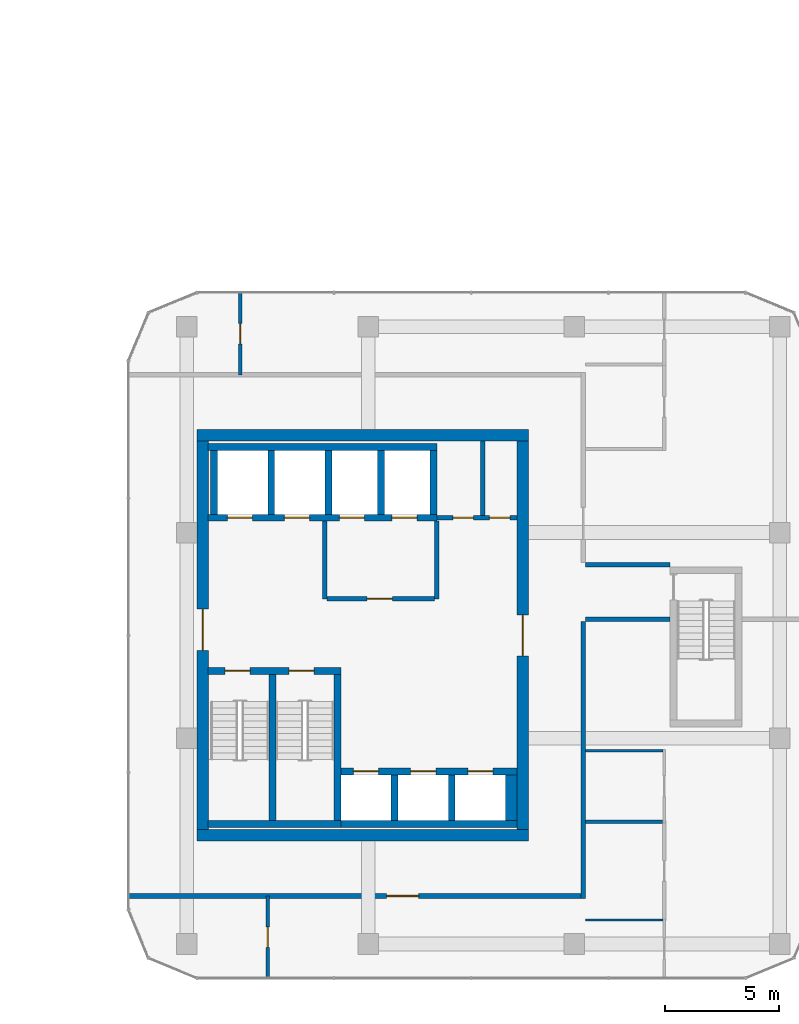
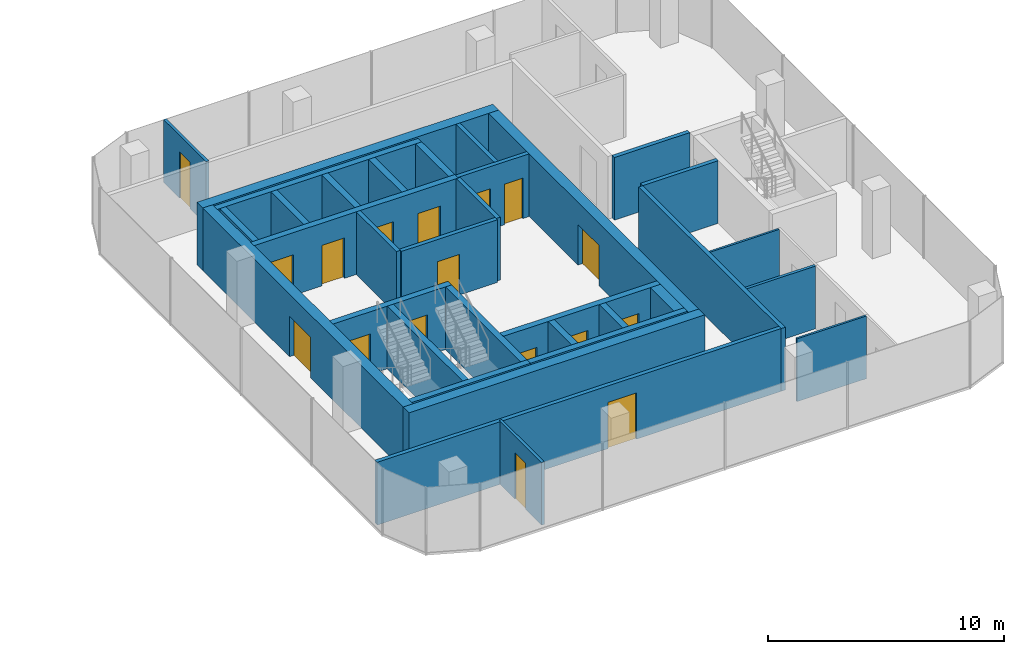
# One storey, part 17 of 22: 34 walls, 17 doors, 17 openings.
"""IFC4 building model written with IfcOpenShell, lengths in metres."""

from ifc_helpers import new_model, si_unit, direction, frame, frame_2d, origin, place, context, subcontext, project, spatial, rectangle, extrude, material, layer, layer_set, type_object, element, fill, save


model = new_model("IFC4")

# Units and contexts
model_context = context("Model", 3, precision=1e-05, world=origin(), true_north=direction((0.0, 1.0)))
body_context = subcontext(model_context, "Body", "Model", "MODEL_VIEW")
ifc_project = project(units=[si_unit("LENGTHUNIT", "METRE"), si_unit("AREAUNIT", "SQUARE_METRE"), si_unit("VOLUMEUNIT", "CUBIC_METRE"), si_unit("PLANEANGLEUNIT", "RADIAN"), si_unit("MASSUNIT", "GRAM", prefix="KILO")], contexts=[model_context])

# Site, building, storey
site_placement = place(None, origin())
site = spatial("IfcSite", under=ifc_project, at=site_placement, CompositionType="ELEMENT")
building_placement = place(site_placement, origin())
building = spatial("IfcBuilding", under=site, at=building_placement, Name="Plateau Cross Towers", CompositionType="ELEMENT")
storey_placement = place(building_placement, frame((0.0, 0.0, 61.800048828125)))
storey = spatial("IfcBuildingStorey", under=building, at=storey_placement, Name="L15", CompositionType="ELEMENT", Elevation=61.800048828125)

# Wall
ifc_material_1 = material(Name="Concrete block, plastered both sides", Category="concrete")
ifc_layer_1 = layer(ifc_material_1, 0.199951171875)
ifc_layer_set_1 = layer_set([ifc_layer_1], Name="Concrete block, plastered both sides")
wall_type_1 = type_object("IfcWallType", Name="Core partition 200", PredefinedType="PARTITIONING", material=ifc_layer_set_1)
wall_1_placement = place(storey_placement, frame((80.60009765625, 10.60009765625, 0.0), z_axis=(0.0, 0.0, 1.0), x_axis=(0.0, 1.0, 0.0)))
element("IfcWall", 1, at=wall_1_placement, inside=storey, type_object=wall_type_1, Name="Core partition", PredefinedType="PARTITIONING", context=body_context, shape_type="SweptSolid", body=[
    extrude(rectangle(XDim=3.39990234375, YDim=0.199951171875, at=frame_2d((1.699951171875, 0.0))), origin(), (0.0, 0.0, 1.0), 3.25),
])

# Wall, opening, door
wall_2_placement = place(storey_placement, frame((80.699951171875, 10.60009765625, 0.0), z_axis=(0.0, 0.0, 1.0), x_axis=(1.0, 0.0, 0.0)))
wall_2 = element("IfcWall", 2, at=wall_2_placement, inside=storey, type_object=wall_type_1, Name="Core partition", PredefinedType="PARTITIONING", context=body_context, shape_type="SweptSolid", body=[
    extrude(rectangle(XDim=4.699951171875, YDim=0.199951171875, at=frame_2d((2.35009765625, 0.0))), origin(), (0.0, 0.0, 1.0), 3.25),
])
opening_1_placement = place(wall_2_placement, frame((1.75, 0.0, 0.0)))
opening_1 = element("IfcOpeningElement", 3, at=opening_1_placement, cuts=wall_2, Name="Opening FFD", PredefinedType="OPENING", context=body_context, shape_type="SweptSolid", body=[
    extrude(rectangle(XDim=1.10009765625, YDim=2.10009765625, at=frame_2d((0.550048828125, 1.050048828125))), frame((0.0, 0.10986328125, 0.0), z_axis=(0.0, -1.0, 0.0), x_axis=(1.0, 0.0, 0.0)), (0.0, 0.0, 1.0), 0.219970703125),
])
ifc_material_2 = material(Name="Steel, fire-resisting leaf", Category="steel")
door_type_1 = type_object("IfcDoorType", Name="Firefighting lobby door 1100", OperationType="NOTDEFINED", PredefinedType="DOOR", material=ifc_material_2)
door_1_placement = place(opening_1_placement, origin())
door_1 = element("IfcDoor", 4, at=door_1_placement, inside=storey, type_object=door_type_1, Name="Firefighting lobby door FFD", OperationType="SINGLE_SWING_LEFT", OverallHeight=2.10009765625, OverallWidth=1.10009765625, PredefinedType="DOOR", context=body_context, shape_type="SweptSolid", body=[
    extrude(rectangle(XDim=1.10009765625, YDim=2.10009765625, at=frame_2d((0.550048828125, 1.050048828125))), frame((0.0, 0.02490234375, 0.0), z_axis=(0.0, -1.0, 0.0), x_axis=(1.0, 0.0, 0.0)), (0.0, 0.0, 1.0), 0.050048828125),
])
fill(opening_1, door_1)

# Wall
wall_3_placement = place(storey_placement, frame((85.5, 10.60009765625, 0.0), z_axis=(0.0, 0.0, 1.0), x_axis=(0.0, 1.0, 0.0)))
element("IfcWall", 5, at=wall_3_placement, inside=storey, type_object=wall_type_1, Name="Core partition", PredefinedType="PARTITIONING", context=body_context, shape_type="SweptSolid", body=[
    extrude(rectangle(XDim=3.39990234375, YDim=0.199951171875, at=frame_2d((1.699951171875, 0.0))), origin(), (0.0, 0.0, 1.0), 3.25),
])

# Wall, openings, doors
wall_4_placement = place(storey_placement, frame((85.5, 14.14990234375, 0.0), z_axis=(0.0, 0.0, 1.0), x_axis=(1.0, 0.0, 0.0)))
wall_4 = element("IfcWall", 6, at=wall_4_placement, inside=storey, type_object=wall_type_1, Name="Core partition", PredefinedType="PARTITIONING", context=body_context, shape_type="SweptSolid", body=[
    extrude(rectangle(XDim=3.5, YDim=0.199951171875, at=frame_2d((1.75, 0.0))), origin(), (0.0, 0.0, 1.0), 3.25),
])
opening_2_placement = place(wall_4_placement, frame((0.699951171875, 0.0, 0.0)))
opening_2 = element("IfcOpeningElement", 7, at=opening_2_placement, cuts=wall_4, Name="Opening RD2", PredefinedType="OPENING", context=body_context, shape_type="SweptSolid", body=[
    extrude(rectangle(XDim=0.89990234375, YDim=2.10009765625, at=frame_2d((0.449951171875, 1.050048828125))), frame((0.0, 0.10986328125, 0.0), z_axis=(0.0, -1.0, 0.0), x_axis=(1.0, 0.0, 0.0)), (0.0, 0.0, 1.0), 0.219970703125),
])
opening_3_placement = place(wall_4_placement, frame((2.300048828125, 0.0, 0.0)))
opening_3 = element("IfcOpeningElement", 8, at=opening_3_placement, cuts=wall_4, Name="Opening RD2", PredefinedType="OPENING", context=body_context, shape_type="SweptSolid", body=[
    extrude(rectangle(XDim=0.89990234375, YDim=2.10009765625, at=frame_2d((0.449951171875, 1.050048828125))), frame((0.0, 0.10986328125, 0.0), z_axis=(0.0, -1.0, 0.0), x_axis=(1.0, 0.0, 0.0)), (0.0, 0.0, 1.0), 0.219970703125),
])
door_type_2 = type_object("IfcDoorType", Name="Core riser door 900", OperationType="NOTDEFINED", PredefinedType="DOOR", material=ifc_material_2)
door_2_placement = place(opening_2_placement, origin())
door_2 = element("IfcDoor", 9, at=door_2_placement, inside=storey, type_object=door_type_2, Name="Core riser door RD2", OperationType="SINGLE_SWING_LEFT", OverallHeight=2.10009765625, OverallWidth=0.89990234375, PredefinedType="DOOR", context=body_context, shape_type="SweptSolid", body=[
    extrude(rectangle(XDim=0.89990234375, YDim=2.10009765625, at=frame_2d((0.449951171875, 1.050048828125))), frame((0.0, 0.02490234375, 0.0), z_axis=(0.0, -1.0, 0.0), x_axis=(1.0, 0.0, 0.0)), (0.0, 0.0, 1.0), 0.050048828125),
])
fill(opening_2, door_2)
door_3_placement = place(opening_3_placement, origin())
door_3 = element("IfcDoor", 10, at=door_3_placement, inside=storey, type_object=door_type_2, Name="Core riser door RD2", OperationType="SINGLE_SWING_LEFT", OverallHeight=2.10009765625, OverallWidth=0.89990234375, PredefinedType="DOOR", context=body_context, shape_type="SweptSolid", body=[
    extrude(rectangle(XDim=0.89990234375, YDim=2.10009765625, at=frame_2d((0.449951171875, 1.050048828125))), frame((0.0, 0.02490234375, 0.0), z_axis=(0.0, -1.0, 0.0), x_axis=(1.0, 0.0, 0.0)), (0.0, 0.0, 1.0), 0.050048828125),
])
fill(opening_3, door_3)

# Walls
wall_5_placement = place(storey_placement, frame((87.5, 14.25, 0.0), z_axis=(0.0, 0.0, 1.0), x_axis=(0.0, 1.0, 0.0)))
element("IfcWall", 11, at=wall_5_placement, inside=storey, type_object=wall_type_1, Name="Core partition", PredefinedType="PARTITIONING", context=body_context, shape_type="SweptSolid", body=[
    extrude(rectangle(XDim=3.25, YDim=0.199951171875, at=frame_2d((1.625, 0.0))), origin(), (0.0, 0.0, 1.0), 3.25),
])
ifc_material_3 = material(Name="Concrete C60/75", Category="concrete")
ifc_layer_2 = layer(ifc_material_3, 0.300048828125)
ifc_layer_set_2 = layer_set([ifc_layer_2], Name="Concrete C60/75")
wall_type_2 = type_object("IfcWallType", Name="Core shaft wall 300", PredefinedType="SHEAR", material=ifc_layer_set_2)
wall_6_placement = place(storey_placement, frame((75.47998046875, 0.75, 0.0), z_axis=(0.0, 0.0, 1.0), x_axis=(1.0, 0.0, 0.0)))
element("IfcWall", 12, at=wall_6_placement, inside=storey, type_object=wall_type_2, Name="B-sb-stS@L15", PredefinedType="SHEAR", context=body_context, shape_type="SweptSolid", body=[
    extrude(rectangle(XDim=5.820068359375, YDim=0.300048828125, at=frame_2d((2.91015625, 0.0))), origin(), (0.0, 0.0, 1.0), 3.25),
])

# Wall, openings, doors
wall_7_placement = place(storey_placement, frame((75.47998046875, 7.449951171875, 0.0), z_axis=(0.0, 0.0, 1.0), x_axis=(1.0, 0.0, 0.0)))
wall_7 = element("IfcWall", 13, at=wall_7_placement, inside=storey, type_object=wall_type_2, Name="B-sb-stN@L15", PredefinedType="SHEAR", context=body_context, shape_type="SweptSolid", body=[
    extrude(rectangle(XDim=5.820068359375, YDim=0.300048828125, at=frame_2d((2.91015625, 0.0))), origin(), (0.0, 0.0, 1.0), 3.25),
])
opening_4_placement = place(wall_7_placement, frame((0.75, 0.0, 0.0)))
opening_4 = element("IfcOpeningElement", 14, at=opening_4_placement, cuts=wall_7, Name="Opening SD", PredefinedType="OPENING", context=body_context, shape_type="SweptSolid", body=[
    extrude(rectangle(XDim=1.10009765625, YDim=2.10009765625, at=frame_2d((0.550048828125, 1.050048828125))), frame((0.0, 0.159912109375, 0.0), z_axis=(0.0, -1.0, 0.0), x_axis=(1.0, 0.0, 0.0)), (0.0, 0.0, 1.0), 0.320068359375),
])
opening_5_placement = place(wall_7_placement, frame((3.550048828125, 0.0, 0.0)))
opening_5 = element("IfcOpeningElement", 15, at=opening_5_placement, cuts=wall_7, Name="Opening SD", PredefinedType="OPENING", context=body_context, shape_type="SweptSolid", body=[
    extrude(rectangle(XDim=1.10009765625, YDim=2.10009765625, at=frame_2d((0.550048828125, 1.050048828125))), frame((0.0, 0.159912109375, 0.0), z_axis=(0.0, -1.0, 0.0), x_axis=(1.0, 0.0, 0.0)), (0.0, 0.0, 1.0), 0.320068359375),
])
door_type_3 = type_object("IfcDoorType", Name="Stair door 1100", OperationType="NOTDEFINED", PredefinedType="DOOR", material=ifc_material_2)
door_4_placement = place(opening_4_placement, origin())
door_4 = element("IfcDoor", 16, at=door_4_placement, inside=storey, type_object=door_type_3, Name="Stair door SD", OperationType="SINGLE_SWING_RIGHT", OverallHeight=2.10009765625, OverallWidth=1.10009765625, PredefinedType="DOOR", context=body_context, shape_type="SweptSolid", body=[
    extrude(rectangle(XDim=1.10009765625, YDim=2.10009765625, at=frame_2d((0.550048828125, 1.050048828125))), frame((0.0, 0.02490234375, 0.0), z_axis=(0.0, -1.0, 0.0), x_axis=(1.0, 0.0, 0.0)), (0.0, 0.0, 1.0), 0.050048828125),
])
fill(opening_4, door_4)
door_5_placement = place(opening_5_placement, origin())
door_5 = element("IfcDoor", 17, at=door_5_placement, inside=storey, type_object=door_type_3, Name="Stair door SD", OperationType="SINGLE_SWING_LEFT", OverallHeight=2.10009765625, OverallWidth=1.10009765625, PredefinedType="DOOR", context=body_context, shape_type="SweptSolid", body=[
    extrude(rectangle(XDim=1.10009765625, YDim=2.10009765625, at=frame_2d((0.550048828125, 1.050048828125))), frame((0.0, 0.02490234375, 0.0), z_axis=(0.0, -1.0, 0.0), x_axis=(1.0, 0.0, 0.0)), (0.0, 0.0, 1.0), 0.050048828125),
])
fill(opening_5, door_5)

# Walls
for number, where, z_axis, x_axis, name in (
    (18, (78.300048828125, 0.89990234375, 0.0), (0.0, 0.0, 1.0), (0.0, 1.0, 0.0), "B-sb-st1@L15"),
    (19, (81.14990234375, 0.89990234375, 0.0), (0.0, 0.0, 1.0), (0.0, 1.0, 0.0), "B-sb-st2@L15"),
):
    element("IfcWall", number, at=place(storey_placement, frame(where, z_axis=z_axis, x_axis=x_axis)), inside=storey, type_object=wall_type_2, Name=name, PredefinedType="SHEAR", context=body_context, shape_type="SweptSolid", body=[
        extrude(rectangle(XDim=6.400146484375, YDim=0.300048828125, at=frame_2d((3.2001953125, 0.0))), origin(), (0.0, 0.0, 1.0), 3.25),
    ])
wall_8_placement = place(storey_placement, frame((81.300048828125, 0.75, 0.0), z_axis=(0.0, 0.0, 1.0), x_axis=(1.0, 0.0, 0.0)))
element("IfcWall", 20, at=wall_8_placement, inside=storey, type_object=wall_type_2, Name="B-sb-back@L15", PredefinedType="SHEAR", context=body_context, shape_type="SweptSolid", body=[
    extrude(rectangle(XDim=7.699951171875, YDim=0.300048828125, at=frame_2d((3.85009765625, 0.0))), origin(), (0.0, 0.0, 1.0), 3.25),
])
for number, where, z_axis, x_axis, name in (
    (21, (83.64990234375, 0.89990234375, 0.0), (0.0, 0.0, 1.0), (0.0, 1.0, 0.0), "B-sb-v1@L15"),
    (22, (86.14990234375, 0.89990234375, 0.0), (0.0, 0.0, 1.0), (0.0, 1.0, 0.0), "B-sb-v2@L15"),
):
    element("IfcWall", number, at=place(storey_placement, frame(where, z_axis=z_axis, x_axis=x_axis)), inside=storey, type_object=wall_type_2, Name=name, PredefinedType="SHEAR", context=body_context, shape_type="SweptSolid", body=[
        extrude(rectangle(XDim=2.0, YDim=0.300048828125, at=frame_2d((1.0, 0.0))), origin(), (0.0, 0.0, 1.0), 3.25),
    ])

# Wall, openings, doors
wall_9_placement = place(storey_placement, frame((81.300048828125, 3.050048828125, 0.0), z_axis=(0.0, 0.0, 1.0), x_axis=(1.0, 0.0, 0.0)))
wall_9 = element("IfcWall", 23, at=wall_9_placement, inside=storey, type_object=wall_type_2, Name="B-sb-front@L15", PredefinedType="SHEAR", context=body_context, shape_type="SweptSolid", body=[
    extrude(rectangle(XDim=7.699951171875, YDim=0.300048828125, at=frame_2d((3.85009765625, 0.0))), origin(), (0.0, 0.0, 1.0), 3.25),
])
opening_6_placement = place(wall_9_placement, frame((0.550048828125, 0.0, 0.0)))
opening_6 = element("IfcOpeningElement", 24, at=opening_6_placement, cuts=wall_9, Name="Opening LD", PredefinedType="OPENING", context=body_context, shape_type="SweptSolid", body=[
    extrude(rectangle(XDim=1.10009765625, YDim=2.10009765625, at=frame_2d((0.550048828125, 1.050048828125))), frame((0.0, 0.159912109375, 0.0), z_axis=(0.0, -1.0, 0.0), x_axis=(1.0, 0.0, 0.0)), (0.0, 0.0, 1.0), 0.320068359375),
])
opening_7_placement = place(wall_9_placement, frame((3.050048828125, 0.0, 0.0)))
opening_7 = element("IfcOpeningElement", 25, at=opening_7_placement, cuts=wall_9, Name="Opening LD", PredefinedType="OPENING", context=body_context, shape_type="SweptSolid", body=[
    extrude(rectangle(XDim=1.10009765625, YDim=2.10009765625, at=frame_2d((0.550048828125, 1.050048828125))), frame((0.0, 0.159912109375, 0.0), z_axis=(0.0, -1.0, 0.0), x_axis=(1.0, 0.0, 0.0)), (0.0, 0.0, 1.0), 0.320068359375),
])
opening_8_placement = place(wall_9_placement, frame((5.550048828125, 0.0, 0.0)))
opening_8 = element("IfcOpeningElement", 26, at=opening_8_placement, cuts=wall_9, Name="Opening LD", PredefinedType="OPENING", context=body_context, shape_type="SweptSolid", body=[
    extrude(rectangle(XDim=1.10009765625, YDim=2.10009765625, at=frame_2d((0.550048828125, 1.050048828125))), frame((0.0, 0.159912109375, 0.0), z_axis=(0.0, -1.0, 0.0), x_axis=(1.0, 0.0, 0.0)), (0.0, 0.0, 1.0), 0.320068359375),
])
ifc_material_4 = material(Name="Stainless steel, fire-resisting sliding leaves", Category="steel")
door_type_4 = type_object("IfcDoorType", Name="Lift landing door 1100", OperationType="NOTDEFINED", PredefinedType="DOOR", material=ifc_material_4)
door_6_placement = place(opening_6_placement, origin())
door_6 = element("IfcDoor", 27, at=door_6_placement, inside=storey, type_object=door_type_4, Name="Lift landing door LD", OperationType="DOUBLE_DOOR_SLIDING", OverallHeight=2.10009765625, OverallWidth=1.10009765625, PredefinedType="DOOR", context=body_context, shape_type="SweptSolid", body=[
    extrude(rectangle(XDim=1.10009765625, YDim=2.10009765625, at=frame_2d((0.550048828125, 1.050048828125))), frame((0.0, 0.02490234375, 0.0), z_axis=(0.0, -1.0, 0.0), x_axis=(1.0, 0.0, 0.0)), (0.0, 0.0, 1.0), 0.050048828125),
])
fill(opening_6, door_6)
door_7_placement = place(opening_7_placement, origin())
door_7 = element("IfcDoor", 28, at=door_7_placement, inside=storey, type_object=door_type_4, Name="Lift landing door LD", OperationType="DOUBLE_DOOR_SLIDING", OverallHeight=2.10009765625, OverallWidth=1.10009765625, PredefinedType="DOOR", context=body_context, shape_type="SweptSolid", body=[
    extrude(rectangle(XDim=1.10009765625, YDim=2.10009765625, at=frame_2d((0.550048828125, 1.050048828125))), frame((0.0, 0.02490234375, 0.0), z_axis=(0.0, -1.0, 0.0), x_axis=(1.0, 0.0, 0.0)), (0.0, 0.0, 1.0), 0.050048828125),
])
fill(opening_7, door_7)
door_8_placement = place(opening_8_placement, origin())
door_8 = element("IfcDoor", 29, at=door_8_placement, inside=storey, type_object=door_type_4, Name="Lift landing door LD", OperationType="DOUBLE_DOOR_SLIDING", OverallHeight=2.10009765625, OverallWidth=1.10009765625, PredefinedType="DOOR", context=body_context, shape_type="SweptSolid", body=[
    extrude(rectangle(XDim=1.10009765625, YDim=2.10009765625, at=frame_2d((0.550048828125, 1.050048828125))), frame((0.0, 0.02490234375, 0.0), z_axis=(0.0, -1.0, 0.0), x_axis=(1.0, 0.0, 0.0)), (0.0, 0.0, 1.0), 0.050048828125),
])
fill(opening_8, door_8)

# Wall
wall_10_placement = place(storey_placement, frame((75.47998046875, 17.25, 0.0), z_axis=(0.0, 0.0, 1.0), x_axis=(1.0, 0.0, 0.0)))
element("IfcWall", 30, at=wall_10_placement, inside=storey, type_object=wall_type_2, Name="B-nb-back@L15", PredefinedType="SHEAR", context=body_context, shape_type="SweptSolid", body=[
    extrude(rectangle(XDim=10.02001953125, YDim=0.300048828125, at=frame_2d((5.010009765625, 0.0))), origin(), (0.0, 0.0, 1.0), 3.25),
])

# Wall, openings, doors
wall_11_placement = place(storey_placement, frame((75.47998046875, 14.14990234375, 0.0), z_axis=(0.0, 0.0, 1.0), x_axis=(1.0, 0.0, 0.0)))
wall_11 = element("IfcWall", 31, at=wall_11_placement, inside=storey, type_object=wall_type_2, Name="B-nb-front@L15", PredefinedType="SHEAR", context=body_context, shape_type="SweptSolid", body=[
    extrude(rectangle(XDim=10.02001953125, YDim=0.300048828125, at=frame_2d((5.010009765625, 0.0))), origin(), (0.0, 0.0, 1.0), 3.25),
])
opening_9_placement = place(wall_11_placement, frame((0.85009765625, 0.0, 0.0)))
opening_9 = element("IfcOpeningElement", 32, at=opening_9_placement, cuts=wall_11, Name="Opening LD", PredefinedType="OPENING", context=body_context, shape_type="SweptSolid", body=[
    extrude(rectangle(XDim=1.10009765625, YDim=2.10009765625, at=frame_2d((0.550048828125, 1.050048828125))), frame((0.0, 0.159912109375, 0.0), z_axis=(0.0, -1.0, 0.0), x_axis=(1.0, 0.0, 0.0)), (0.0, 0.0, 1.0), 0.320068359375),
])
opening_10_placement = place(wall_11_placement, frame((3.35009765625, 0.0, 0.0)))
opening_10 = element("IfcOpeningElement", 33, at=opening_10_placement, cuts=wall_11, Name="Opening LD", PredefinedType="OPENING", context=body_context, shape_type="SweptSolid", body=[
    extrude(rectangle(XDim=1.10009765625, YDim=2.10009765625, at=frame_2d((0.550048828125, 1.050048828125))), frame((0.0, 0.159912109375, 0.0), z_axis=(0.0, -1.0, 0.0), x_axis=(1.0, 0.0, 0.0)), (0.0, 0.0, 1.0), 0.320068359375),
])
opening_11_placement = place(wall_11_placement, frame((5.75, 0.0, 0.0)))
opening_11 = element("IfcOpeningElement", 34, at=opening_11_placement, cuts=wall_11, Name="Opening LD", PredefinedType="OPENING", context=body_context, shape_type="SweptSolid", body=[
    extrude(rectangle(XDim=1.10009765625, YDim=2.10009765625, at=frame_2d((0.550048828125, 1.050048828125))), frame((0.0, 0.159912109375, 0.0), z_axis=(0.0, -1.0, 0.0), x_axis=(1.0, 0.0, 0.0)), (0.0, 0.0, 1.0), 0.320068359375),
])
opening_12_placement = place(wall_11_placement, frame((8.050048828125, 0.0, 0.0)))
opening_12 = element("IfcOpeningElement", 35, at=opening_12_placement, cuts=wall_11, Name="Opening LD", PredefinedType="OPENING", context=body_context, shape_type="SweptSolid", body=[
    extrude(rectangle(XDim=1.10009765625, YDim=2.10009765625, at=frame_2d((0.550048828125, 1.050048828125))), frame((0.0, 0.159912109375, 0.0), z_axis=(0.0, -1.0, 0.0), x_axis=(1.0, 0.0, 0.0)), (0.0, 0.0, 1.0), 0.320068359375),
])
door_9_placement = place(opening_9_placement, origin())
door_9 = element("IfcDoor", 36, at=door_9_placement, inside=storey, type_object=door_type_4, Name="Lift landing door LD", OperationType="DOUBLE_DOOR_SLIDING", OverallHeight=2.10009765625, OverallWidth=1.10009765625, PredefinedType="DOOR", context=body_context, shape_type="SweptSolid", body=[
    extrude(rectangle(XDim=1.10009765625, YDim=2.10009765625, at=frame_2d((0.550048828125, 1.050048828125))), frame((0.0, 0.02490234375, 0.0), z_axis=(0.0, -1.0, 0.0), x_axis=(1.0, 0.0, 0.0)), (0.0, 0.0, 1.0), 0.050048828125),
])
fill(opening_9, door_9)
door_10_placement = place(opening_10_placement, origin())
door_10 = element("IfcDoor", 37, at=door_10_placement, inside=storey, type_object=door_type_4, Name="Lift landing door LD", OperationType="DOUBLE_DOOR_SLIDING", OverallHeight=2.10009765625, OverallWidth=1.10009765625, PredefinedType="DOOR", context=body_context, shape_type="SweptSolid", body=[
    extrude(rectangle(XDim=1.10009765625, YDim=2.10009765625, at=frame_2d((0.550048828125, 1.050048828125))), frame((0.0, 0.02490234375, 0.0), z_axis=(0.0, -1.0, 0.0), x_axis=(1.0, 0.0, 0.0)), (0.0, 0.0, 1.0), 0.050048828125),
])
fill(opening_10, door_10)
door_11_placement = place(opening_11_placement, origin())
door_11 = element("IfcDoor", 38, at=door_11_placement, inside=storey, type_object=door_type_4, Name="Lift landing door LD", OperationType="DOUBLE_DOOR_SLIDING", OverallHeight=2.10009765625, OverallWidth=1.10009765625, PredefinedType="DOOR", context=body_context, shape_type="SweptSolid", body=[
    extrude(rectangle(XDim=1.10009765625, YDim=2.10009765625, at=frame_2d((0.550048828125, 1.050048828125))), frame((0.0, 0.02490234375, 0.0), z_axis=(0.0, -1.0, 0.0), x_axis=(1.0, 0.0, 0.0)), (0.0, 0.0, 1.0), 0.050048828125),
])
fill(opening_11, door_11)
door_12_placement = place(opening_12_placement, origin())
door_12 = element("IfcDoor", 39, at=door_12_placement, inside=storey, type_object=door_type_4, Name="Lift landing door LD", OperationType="DOUBLE_DOOR_SLIDING", OverallHeight=2.10009765625, OverallWidth=1.10009765625, PredefinedType="DOOR", context=body_context, shape_type="SweptSolid", body=[
    extrude(rectangle(XDim=1.10009765625, YDim=2.10009765625, at=frame_2d((0.550048828125, 1.050048828125))), frame((0.0, 0.02490234375, 0.0), z_axis=(0.0, -1.0, 0.0), x_axis=(1.0, 0.0, 0.0)), (0.0, 0.0, 1.0), 0.050048828125),
])
fill(opening_12, door_12)

# Walls
for number, where, z_axis, x_axis, name in (
    (40, (75.75, 14.300048828125, 0.0), (0.0, 0.0, 1.0), (0.0, 1.0, 0.0), "B-nb-v0@L15"),
    (41, (78.25, 14.300048828125, 0.0), (0.0, 0.0, 1.0), (0.0, 1.0, 0.0), "B-nb-v1@L15"),
    (42, (80.75, 14.300048828125, 0.0), (0.0, 0.0, 1.0), (0.0, 1.0, 0.0), "B-nb-v2@L15"),
    (43, (83.050048828125, 14.300048828125, 0.0), (0.0, 0.0, 1.0), (0.0, 1.0, 0.0), "B-nb-v3@L15"),
    (44, (85.35009765625, 14.300048828125, 0.0), (0.0, 0.0, 1.0), (0.0, 1.0, 0.0), "B-nb-v4@L15"),
):
    element("IfcWall", number, at=place(storey_placement, frame(where, z_axis=z_axis, x_axis=x_axis)), inside=storey, type_object=wall_type_2, Name=name, PredefinedType="SHEAR", context=body_context, shape_type="SweptSolid", body=[
        extrude(rectangle(XDim=2.800048828125, YDim=0.300048828125, at=frame_2d((1.39990234375, 0.0))), origin(), (0.0, 0.0, 1.0), 3.25),
    ])
ifc_layer_3 = layer(ifc_material_3, 0.5)
ifc_layer_set_3 = layer_set([ifc_layer_3], Name="Concrete C60/75")
wall_type_3 = type_object("IfcWallType", Name="Core shaft wall 500", PredefinedType="SHEAR", material=ifc_layer_set_3)
wall_12_placement = place(storey_placement, frame((88.75, 0.89990234375, 0.0), z_axis=(0.0, 0.0, 1.0), x_axis=(0.0, 1.0, 0.0)))
element("IfcWall", 45, at=wall_12_placement, inside=storey, type_object=wall_type_3, Name="B-sb-v3@L15", PredefinedType="SHEAR", context=body_context, shape_type="SweptSolid", body=[
    extrude(rectangle(XDim=2.0, YDim=0.5, at=frame_2d((1.0, 0.0))), origin(), (0.0, 0.0, 1.0), 3.25),
])
ifc_layer_4 = layer(ifc_material_3, 0.5)
ifc_layer_set_4 = layer_set([ifc_layer_4], Name="Concrete C60/75")
wall_type_4 = type_object("IfcWallType", Name="Core shell wall 500", PredefinedType="SHEAR", material=ifc_layer_set_4)
for number, where, z_axis, x_axis, name in (
    (46, (75.0, 0.25, 0.0), (0.0, 0.0, 1.0), (1.0, 0.0, 0.0), "B-core-S@L15"),
    (47, (75.0, 17.75, 0.0), (0.0, 0.0, 1.0), (1.0, 0.0, 0.0), "B-core-N@L15"),
):
    element("IfcWall", number, at=place(storey_placement, frame(where, z_axis=z_axis, x_axis=x_axis)), inside=storey, type_object=wall_type_4, Name=name, PredefinedType="SHEAR", context=body_context, shape_type="SweptSolid", body=[
        extrude(rectangle(XDim=14.5, YDim=0.5, at=frame_2d((7.25, 0.0))), origin(), (0.0, 0.0, 1.0), 3.25),
    ])

# Wall, opening, door
wall_13_placement = place(storey_placement, frame((75.25, 0.5, 0.0), z_axis=(0.0, 0.0, 1.0), x_axis=(0.0, 1.0, 0.0)))
wall_13 = element("IfcWall", 48, at=wall_13_placement, inside=storey, type_object=wall_type_4, Name="B-core-W@L15", PredefinedType="SHEAR", context=body_context, shape_type="SweptSolid", body=[
    extrude(rectangle(XDim=17.0, YDim=0.5, at=frame_2d((8.5, 0.0))), origin(), (0.0, 0.0, 1.0), 3.25),
])
opening_13_placement = place(wall_13_placement, frame((7.85009765625, 0.0, 0.0)))
opening_13 = element("IfcOpeningElement", 49, at=opening_13_placement, cuts=wall_13, Name="Opening CD", PredefinedType="OPENING", context=body_context, shape_type="SweptSolid", body=[
    extrude(rectangle(XDim=1.800048828125, YDim=2.10009765625, at=frame_2d((0.89990234375, 1.050048828125))), frame((0.0, 0.260009765625, 0.0), z_axis=(0.0, -1.0, 0.0), x_axis=(1.0, 0.0, 0.0)), (0.0, 0.0, 1.0), 0.52001953125),
])
ifc_material_5 = material(Name="Steel, fire-resisting leaves", Category="steel")
door_type_5 = type_object("IfcDoorType", Name="Corridor door pair 1800", OperationType="NOTDEFINED", PredefinedType="DOOR", material=ifc_material_5)
door_13_placement = place(opening_13_placement, origin())
door_13 = element("IfcDoor", 50, at=door_13_placement, inside=storey, type_object=door_type_5, Name="Corridor door pair CD", OperationType="DOUBLE_DOOR_SINGLE_SWING", OverallHeight=2.10009765625, OverallWidth=1.800048828125, PredefinedType="DOOR", context=body_context, shape_type="SweptSolid", body=[
    extrude(rectangle(XDim=1.800048828125, YDim=2.10009765625, at=frame_2d((0.89990234375, 1.050048828125))), frame((0.0, 0.02490234375, 0.0), z_axis=(0.0, -1.0, 0.0), x_axis=(1.0, 0.0, 0.0)), (0.0, 0.0, 1.0), 0.050048828125),
])
fill(opening_13, door_13)

wall_14_placement = place(storey_placement, frame((89.25, 0.5, 0.0), z_axis=(0.0, 0.0, 1.0), x_axis=(0.0, 1.0, 0.0)))
wall_14 = element("IfcWall", 51, at=wall_14_placement, inside=storey, type_object=wall_type_4, Name="B-core-E@L15", PredefinedType="SHEAR", context=body_context, shape_type="SweptSolid", body=[
    extrude(rectangle(XDim=17.0, YDim=0.5, at=frame_2d((8.5, 0.0))), origin(), (0.0, 0.0, 1.0), 3.25),
])
opening_14_placement = place(wall_14_placement, frame((7.60009765625, 0.0, 0.0)))
opening_14 = element("IfcOpeningElement", 52, at=opening_14_placement, cuts=wall_14, Name="Opening CD", PredefinedType="OPENING", context=body_context, shape_type="SweptSolid", body=[
    extrude(rectangle(XDim=1.800048828125, YDim=2.10009765625, at=frame_2d((0.89990234375, 1.050048828125))), frame((0.0, 0.260009765625, 0.0), z_axis=(0.0, -1.0, 0.0), x_axis=(1.0, 0.0, 0.0)), (0.0, 0.0, 1.0), 0.52001953125),
])
door_14_placement = place(opening_14_placement, origin())
door_14 = element("IfcDoor", 53, at=door_14_placement, inside=storey, type_object=door_type_5, Name="Corridor door pair CD", OperationType="DOUBLE_DOOR_SINGLE_SWING", OverallHeight=2.10009765625, OverallWidth=1.800048828125, PredefinedType="DOOR", context=body_context, shape_type="SweptSolid", body=[
    extrude(rectangle(XDim=1.800048828125, YDim=2.10009765625, at=frame_2d((0.89990234375, 1.050048828125))), frame((0.0, 0.02490234375, 0.0), z_axis=(0.0, -1.0, 0.0), x_axis=(1.0, 0.0, 0.0)), (0.0, 0.0, 1.0), 0.050048828125),
])
fill(opening_14, door_14)

ifc_material_6 = material(Name="Gypsum board on steel studs, two layers each side", Category="steel")
ifc_layer_5 = layer(ifc_material_6, 0.199951171875)
ifc_layer_set_5 = layer_set([ifc_layer_5], Name="Gypsum board on steel studs, two layers each side")
wall_type_5 = type_object("IfcWallType", Name="Corridor wall 200", PredefinedType="PARTITIONING", material=ifc_layer_set_5)
wall_15_placement = place(storey_placement, frame((72.0, -2.39990234375, 0.0), z_axis=(0.0, 0.0, 1.0), x_axis=(1.0, 0.0, 0.0)))
wall_15 = element("IfcWall", 54, at=wall_15_placement, inside=storey, type_object=wall_type_5, Name="Ring wall", PredefinedType="PARTITIONING", context=body_context, shape_type="SweptSolid", body=[
    extrude(rectangle(XDim=20.0, YDim=0.199951171875, at=frame_2d((10.0, 0.0))), origin(), (0.0, 0.0, 1.0), 3.25),
])
opening_15_placement = place(wall_15_placement, frame((11.300048828125, 0.0, 0.0)))
opening_15 = element("IfcOpeningElement", 55, at=opening_15_placement, cuts=wall_15, Name="Opening D-BE14", PredefinedType="OPENING", context=body_context, shape_type="SweptSolid", body=[
    extrude(rectangle(XDim=1.39990234375, YDim=2.39990234375, at=frame_2d((0.699951171875, 1.199951171875))), frame((0.0, 0.10986328125, 0.0), z_axis=(0.0, -1.0, 0.0), x_axis=(1.0, 0.0, 0.0)), (0.0, 0.0, 1.0), 0.219970703125),
])
ifc_material_7 = material(Name="Timber, fire-resisting leaves", Category="wood")
door_type_6 = type_object("IfcDoorType", Name="Tenant entrance double-leaf 1400x2400", OperationType="NOTDEFINED", PredefinedType="DOOR", material=ifc_material_7)
door_15_placement = place(opening_15_placement, origin())
door_15 = element("IfcDoor", 56, at=door_15_placement, inside=storey, type_object=door_type_6, Name="Door D-BE14", OperationType="DOUBLE_DOOR_SINGLE_SWING", OverallHeight=2.39990234375, OverallWidth=1.39990234375, PredefinedType="DOOR", context=body_context, shape_type="SweptSolid", body=[
    extrude(rectangle(XDim=1.39990234375, YDim=2.39990234375, at=frame_2d((0.699951171875, 1.199951171875))), frame((0.0, 0.02490234375, 0.0), z_axis=(0.0, -1.0, 0.0), x_axis=(1.0, 0.0, 0.0)), (0.0, 0.0, 1.0), 0.050048828125),
])
fill(opening_15, door_15)

# Walls
wall_16_placement = place(storey_placement, frame((91.89990234375, -2.5, 0.0), z_axis=(0.0, 0.0, 1.0), x_axis=(0.0, 1.0, 0.0)))
element("IfcWall", 57, at=wall_16_placement, inside=storey, type_object=wall_type_5, Name="Ring wall", PredefinedType="PARTITIONING", context=body_context, shape_type="SweptSolid", body=[
    extrude(rectangle(XDim=12.10009765625, YDim=0.199951171875, at=frame_2d((6.050048828125, 0.0))), origin(), (0.0, 0.0, 1.0), 3.25),
])
for number, where, z_axis, x_axis, name in (
    (58, (92.0, 9.699951171875, 0.0), (0.0, 0.0, 1.0), (1.0, 0.0, 0.0), "Ring wall"),
    (59, (92.0, 12.10009765625, 0.0), (0.0, 0.0, 1.0), (1.0, 0.0, 0.0), "Ring wall"),
):
    element("IfcWall", number, at=place(storey_placement, frame(where, z_axis=z_axis, x_axis=x_axis)), inside=storey, type_object=wall_type_5, Name=name, PredefinedType="PARTITIONING", context=body_context, shape_type="SweptSolid", body=[
        extrude(rectangle(XDim=3.699951171875, YDim=0.199951171875, at=frame_2d((1.85009765625, 0.0))), origin(), (0.0, 0.0, 1.0), 3.25),
    ])

# Wall, opening, door
ifc_material_8 = material(Name="Gypsum board on staggered steel studs, mineral wool, two layers each side", Category="steel")
ifc_layer_6 = layer(ifc_material_8, 0.139892578125)
ifc_layer_set_6 = layer_set([ifc_layer_6], Name="Gypsum board on staggered steel studs, mineral wool, two layers each side")
wall_type_6 = type_object("IfcWallType", Name="Meeting room acoustic partition 140", PredefinedType="PARTITIONING", material=ifc_layer_set_6)
wall_17_placement = place(storey_placement, frame((78.10009765625, -6.0, 0.0), z_axis=(0.0, 0.0, 1.0), x_axis=(0.0, 1.0, 0.0)))
wall_17 = element("IfcWall", 60, at=wall_17_placement, inside=storey, type_object=wall_type_6, Name="Acoustic wall", PredefinedType="PARTITIONING", context=body_context, shape_type="SweptSolid", body=[
    extrude(rectangle(XDim=3.60009765625, YDim=0.139892578125, at=frame_2d((1.800048828125, 0.0))), origin(), (0.0, 0.0, 1.0), 3.25),
])
opening_16_placement = place(wall_17_placement, frame((1.35009765625, 0.0, 0.0)))
opening_16 = element("IfcOpeningElement", 61, at=opening_16_placement, cuts=wall_17, Name="Opening D-BM9", PredefinedType="OPENING", context=body_context, shape_type="SweptSolid", body=[
    extrude(rectangle(XDim=0.89990234375, YDim=2.39990234375, at=frame_2d((0.449951171875, 1.199951171875))), frame((0.0, 0.079833984375, 0.0), z_axis=(0.0, -1.0, 0.0), x_axis=(1.0, 0.0, 0.0)), (0.0, 0.0, 1.0), 0.159912109375),
])
ifc_material_9 = material(Name="Timber leaf, full height", Category="wood")
door_type_7 = type_object("IfcDoorType", Name="Meeting room door 900x2400", OperationType="NOTDEFINED", PredefinedType="DOOR", material=ifc_material_9)
door_16_placement = place(opening_16_placement, origin())
door_16 = element("IfcDoor", 62, at=door_16_placement, inside=storey, type_object=door_type_7, Name="Door D-BM9", OperationType="SINGLE_SWING_LEFT", OverallHeight=2.39990234375, OverallWidth=0.89990234375, PredefinedType="DOOR", context=body_context, shape_type="SweptSolid", body=[
    extrude(rectangle(XDim=0.89990234375, YDim=2.39990234375, at=frame_2d((0.449951171875, 1.199951171875))), frame((0.0, 0.02490234375, 0.0), z_axis=(0.0, -1.0, 0.0), x_axis=(1.0, 0.0, 0.0)), (0.0, 0.0, 1.0), 0.050048828125),
])
fill(opening_16, door_16)

# Wall
wall_18_placement = place(storey_placement, frame((92.0, 0.85009765625, 0.0), z_axis=(0.0, 0.0, 1.0), x_axis=(1.0, 0.0, 0.0)))
element("IfcWall", 63, at=wall_18_placement, inside=storey, type_object=wall_type_6, Name="Acoustic wall", PredefinedType="PARTITIONING", context=body_context, shape_type="SweptSolid", body=[
    extrude(rectangle(XDim=3.3798828125, YDim=0.139892578125, at=frame_2d((1.68994140625, 0.0))), origin(), (0.0, 0.0, 1.0), 3.25),
])

# Wall, opening, door
wall_19_placement = place(storey_placement, frame((76.89990234375, 20.39990234375, 0.0), z_axis=(0.0, 0.0, 1.0), x_axis=(0.0, 1.0, 0.0)))
wall_19 = element("IfcWall", 64, at=wall_19_placement, inside=storey, type_object=wall_type_6, Name="Acoustic wall", PredefinedType="PARTITIONING", context=body_context, shape_type="SweptSolid", body=[
    extrude(rectangle(XDim=3.60009765625, YDim=0.139892578125, at=frame_2d((1.800048828125, 0.0))), origin(), (0.0, 0.0, 1.0), 3.25),
])
opening_17_placement = place(wall_19_placement, frame((1.35009765625, 0.0, 0.0)))
opening_17 = element("IfcOpeningElement", 65, at=opening_17_placement, cuts=wall_19, Name="Opening D-BM9", PredefinedType="OPENING", context=body_context, shape_type="SweptSolid", body=[
    extrude(rectangle(XDim=0.89990234375, YDim=2.39990234375, at=frame_2d((0.449951171875, 1.199951171875))), frame((0.0, 0.079833984375, 0.0), z_axis=(0.0, -1.0, 0.0), x_axis=(1.0, 0.0, 0.0)), (0.0, 0.0, 1.0), 0.159912109375),
])
door_17_placement = place(opening_17_placement, origin())
door_17 = element("IfcDoor", 66, at=door_17_placement, inside=storey, type_object=door_type_7, Name="Door D-BM9", OperationType="SINGLE_SWING_LEFT", OverallHeight=2.39990234375, OverallWidth=0.89990234375, PredefinedType="DOOR", context=body_context, shape_type="SweptSolid", body=[
    extrude(rectangle(XDim=0.89990234375, YDim=2.39990234375, at=frame_2d((0.449951171875, 1.199951171875))), frame((0.0, 0.02490234375, 0.0), z_axis=(0.0, -1.0, 0.0), x_axis=(1.0, 0.0, 0.0)), (0.0, 0.0, 1.0), 0.050048828125),
])
fill(opening_17, door_17)

# Walls
ifc_material_10 = material(Name="Gypsum board on steel studs", Category="steel")
ifc_layer_7 = layer(ifc_material_10, 0.10009765625)
ifc_layer_set_7 = layer_set([ifc_layer_7], Name="Gypsum board on steel studs")
wall_type_7 = type_object("IfcWallType", Name="Office partition 100", PredefinedType="PARTITIONING", material=ifc_layer_set_7)
for number, where, z_axis, x_axis, name in (
    (67, (92.0, -3.449951171875, 0.0), (0.0, 0.0, 1.0), (1.0, 0.0, 0.0), "Part wall"),
    (68, (92.0, 3.949951171875, 0.0), (0.0, 0.0, 1.0), (1.0, 0.0, 0.0), "Part wall"),
):
    element("IfcWall", number, at=place(storey_placement, frame(where, z_axis=z_axis, x_axis=x_axis)), inside=storey, type_object=wall_type_7, Name=name, PredefinedType="PARTITIONING", context=body_context, shape_type="SweptSolid", body=[
        extrude(rectangle(XDim=3.39990234375, YDim=0.10009765625, at=frame_2d((1.699951171875, 0.0))), origin(), (0.0, 0.0, 1.0), 3.25),
    ])

save(model, "model.ifc")
